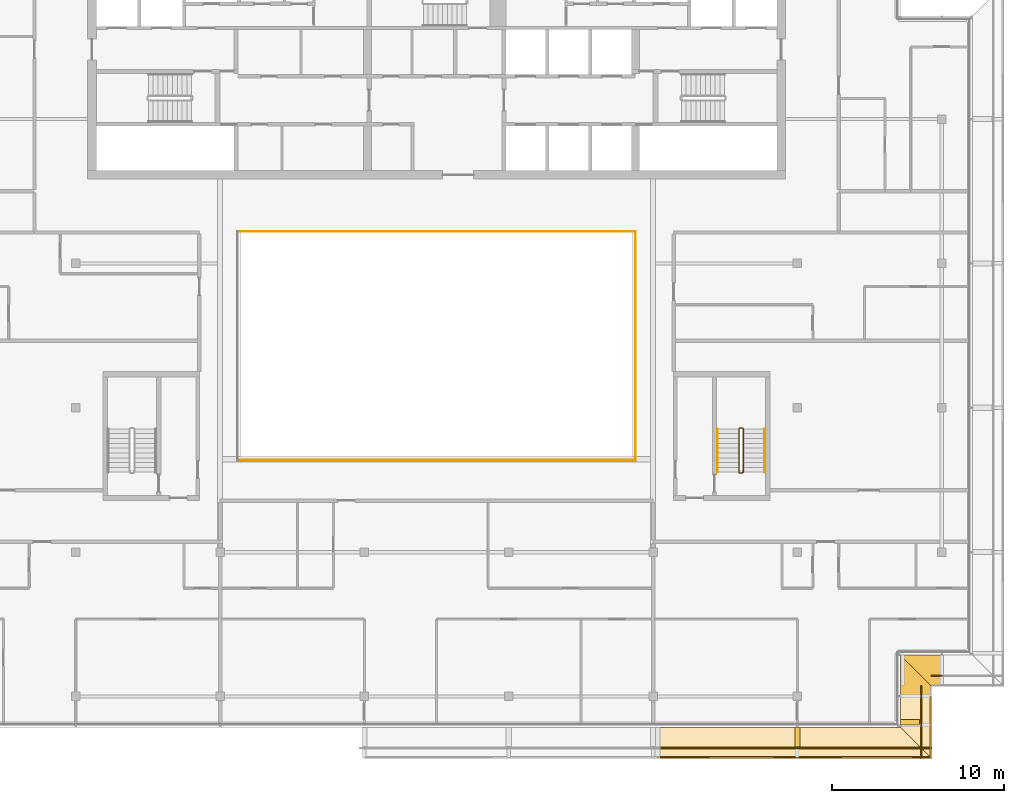
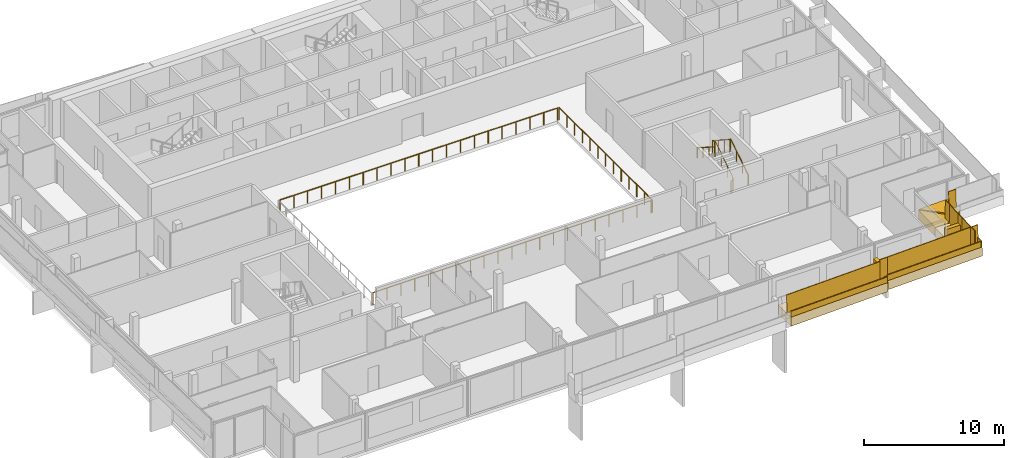
# One storey, part 23 of 26: 13 railings, 10 coverings.
"""IFC4 building model written with IfcOpenShell, lengths in metres."""

from ifc_helpers import new_model, si_unit, direction, frame, origin, origin_2d, place, context, subcontext, project, spatial, polyline, rectangle, circle, outline, extrude, material, layer, layer_set, type_object, element, save


model = new_model("IFC4")

# Units and contexts
model_context = context("Model", 3, precision=1e-05, world=origin(), true_north=direction((0.0, 1.0)))
body_context = subcontext(model_context, "Body", "Model", "MODEL_VIEW")
ifc_project = project(units=[si_unit("LENGTHUNIT", "METRE"), si_unit("AREAUNIT", "SQUARE_METRE"), si_unit("VOLUMEUNIT", "CUBIC_METRE"), si_unit("PLANEANGLEUNIT", "RADIAN"), si_unit("MASSUNIT", "GRAM", prefix="KILO")], contexts=[model_context])

# Site, building, storey
site_placement = place(None, origin())
site = spatial("IfcSite", under=ifc_project, at=site_placement, CompositionType="ELEMENT")
building_placement = place(site_placement, origin())
building = spatial("IfcBuilding", under=site, at=building_placement, Name="Saffron Gate Tower", CompositionType="ELEMENT")
storey_placement = place(building_placement, frame((0.0, 0.0, 277.949951171875)))
storey = spatial("IfcBuildingStorey", under=building, at=storey_placement, Name="L67", CompositionType="ELEMENT", Elevation=277.949951171875)

# Railings
ifc_material_1 = material(Name="Stainless steel and laminated glass", Category="steel")
railing_type_1 = type_object("IfcRailingType", Name="AG1 Atrium edge guard 1100", PredefinedType="GUARDRAIL", material=ifc_material_1)
railing_1_placement = place(storey_placement, frame((76.139892578125, 58.860107421875, 0.0)))
element("IfcRailing", 1, at=railing_1_placement, inside=storey, type_object=railing_type_1, Name="Guard E3-2", PredefinedType="GUARDRAIL", context=body_context, shape_type="SweptSolid", body=[
    extrude(circle(Radius=0.02392578125, at=origin_2d()), frame((0.0, 0.0, 1.076171875), z_axis=(1.0, 0.0, 0.0), x_axis=(0.0, 1.0, 0.0)), (0.0, 0.0, 1.0), 22.920166015625),
    extrude(circle(Radius=0.02099609375, at=origin_2d()), origin(), (0.0, 0.0, 1.0), 1.052001953125),
    extrude(circle(Radius=0.02099609375, at=origin_2d()), frame((1.14599609375, 0.0, 0.0)), (0.0, 0.0, 1.0), 1.052001953125),
    extrude(circle(Radius=0.02099609375, at=origin_2d()), frame((2.2919921875, 0.0, 0.0)), (0.0, 0.0, 1.0), 1.052001953125),
    extrude(circle(Radius=0.02099609375, at=origin_2d()), frame((3.43798828125, 0.0, 0.0)), (0.0, 0.0, 1.0), 1.052001953125),
    extrude(circle(Radius=0.02099609375, at=origin_2d()), frame((4.583984375, 0.0, 0.0)), (0.0, 0.0, 1.0), 1.052001953125),
    extrude(circle(Radius=0.02099609375, at=origin_2d()), frame((5.72998046875, 0.0, 0.0)), (0.0, 0.0, 1.0), 1.052001953125),
    extrude(circle(Radius=0.02099609375, at=origin_2d()), frame((6.8759765625, 0.0, 0.0)), (0.0, 0.0, 1.0), 1.052001953125),
    extrude(circle(Radius=0.02099609375, at=origin_2d()), frame((8.02197265625, 0.0, 0.0)), (0.0, 0.0, 1.0), 1.052001953125),
    extrude(circle(Radius=0.02099609375, at=origin_2d()), frame((9.16796875, 0.0, 0.0)), (0.0, 0.0, 1.0), 1.052001953125),
    extrude(circle(Radius=0.02099609375, at=origin_2d()), frame((10.31396484375, 0.0, 0.0)), (0.0, 0.0, 1.0), 1.052001953125),
    extrude(circle(Radius=0.02099609375, at=origin_2d()), frame((11.4599609375, 0.0, 0.0)), (0.0, 0.0, 1.0), 1.052001953125),
    extrude(circle(Radius=0.02099609375, at=origin_2d()), frame((12.606201171875, 0.0, 0.0)), (0.0, 0.0, 1.0), 1.052001953125),
    extrude(circle(Radius=0.02099609375, at=origin_2d()), frame((13.752197265625, 0.0, 0.0)), (0.0, 0.0, 1.0), 1.052001953125),
    extrude(circle(Radius=0.02099609375, at=origin_2d()), frame((14.898193359375, 0.0, 0.0)), (0.0, 0.0, 1.0), 1.052001953125),
    extrude(circle(Radius=0.02099609375, at=origin_2d()), frame((16.044189453125, 0.0, 0.0)), (0.0, 0.0, 1.0), 1.052001953125),
    extrude(circle(Radius=0.02099609375, at=origin_2d()), frame((17.190185546875, 0.0, 0.0)), (0.0, 0.0, 1.0), 1.052001953125),
    extrude(circle(Radius=0.02099609375, at=origin_2d()), frame((18.336181640625, 0.0, 0.0)), (0.0, 0.0, 1.0), 1.052001953125),
    extrude(circle(Radius=0.02099609375, at=origin_2d()), frame((19.482177734375, 0.0, 0.0)), (0.0, 0.0, 1.0), 1.052001953125),
    extrude(circle(Radius=0.02099609375, at=origin_2d()), frame((20.628173828125, 0.0, 0.0)), (0.0, 0.0, 1.0), 1.052001953125),
    extrude(circle(Radius=0.02099609375, at=origin_2d()), frame((21.774169921875, 0.0, 0.0)), (0.0, 0.0, 1.0), 1.052001953125),
    extrude(circle(Radius=0.02099609375, at=origin_2d()), frame((22.920166015625, 0.0, 0.0)), (0.0, 0.0, 1.0), 1.052001953125),
])
railing_2_placement = place(storey_placement, frame((99.179931640625, 58.860107421875, 0.0)))
element("IfcRailing", 2, at=railing_2_placement, inside=storey, type_object=railing_type_1, Name="Guard E3-3", PredefinedType="GUARDRAIL", context=body_context, shape_type="SweptSolid", body=[
    extrude(circle(Radius=0.02392578125, at=origin_2d()), frame((0.0, 0.0, 1.076171875), z_axis=(0.0, -1.0, 0.0), x_axis=(1.0, 0.0, 0.0)), (0.0, 0.0, 1.0), 13.320068359375),
    extrude(circle(Radius=0.02099609375, at=origin_2d()), origin(), (0.0, 0.0, 1.0), 1.052001953125),
    extrude(circle(Radius=0.02099609375, at=origin_2d()), frame((0.0, -1.110107421875, 0.0)), (0.0, 0.0, 1.0), 1.052001953125),
    extrude(circle(Radius=0.02099609375, at=origin_2d()), frame((0.0, -2.219970703125, 0.0)), (0.0, 0.0, 1.0), 1.052001953125),
    extrude(circle(Radius=0.02099609375, at=origin_2d()), frame((0.0, -3.330078125, 0.0)), (0.0, 0.0, 1.0), 1.052001953125),
    extrude(circle(Radius=0.02099609375, at=origin_2d()), frame((0.0, -4.43994140625, 0.0)), (0.0, 0.0, 1.0), 1.052001953125),
    extrude(circle(Radius=0.02099609375, at=origin_2d()), frame((0.0, -5.550048828125, 0.0)), (0.0, 0.0, 1.0), 1.052001953125),
    extrude(circle(Radius=0.02099609375, at=origin_2d()), frame((0.0, -6.66015625, 0.0)), (0.0, 0.0, 1.0), 1.052001953125),
    extrude(circle(Radius=0.02099609375, at=origin_2d()), frame((0.0, -7.77001953125, 0.0)), (0.0, 0.0, 1.0), 1.052001953125),
    extrude(circle(Radius=0.02099609375, at=origin_2d()), frame((0.0, -8.880126953125, 0.0)), (0.0, 0.0, 1.0), 1.052001953125),
    extrude(circle(Radius=0.02099609375, at=origin_2d()), frame((0.0, -9.989990234375, 0.0)), (0.0, 0.0, 1.0), 1.052001953125),
    extrude(circle(Radius=0.02099609375, at=origin_2d()), frame((0.0, -11.10009765625, 0.0)), (0.0, 0.0, 1.0), 1.052001953125),
    extrude(circle(Radius=0.02099609375, at=origin_2d()), frame((0.0, -12.2099609375, 0.0)), (0.0, 0.0, 1.0), 1.052001953125),
    extrude(circle(Radius=0.02099609375, at=origin_2d()), frame((0.0, -13.320068359375, 0.0)), (0.0, 0.0, 1.0), 1.052001953125),
])
railing_3_placement = place(storey_placement, frame((99.06005859375, 45.5400390625, 0.0)))
element("IfcRailing", 3, at=railing_3_placement, inside=storey, type_object=railing_type_1, Name="Guard E3-4", PredefinedType="GUARDRAIL", context=body_context, shape_type="SweptSolid", body=[
    extrude(circle(Radius=0.02392578125, at=origin_2d()), frame((0.0, 0.0, 1.076171875), z_axis=(-1.0, 0.0, 0.0), x_axis=(0.0, -1.0, 0.0)), (0.0, 0.0, 1.0), 22.920166015625),
    extrude(circle(Radius=0.02099609375, at=origin_2d()), origin(), (0.0, 0.0, 1.0), 1.052001953125),
    extrude(circle(Radius=0.02099609375, at=origin_2d()), frame((-1.14599609375, 0.0, 0.0)), (0.0, 0.0, 1.0), 1.052001953125),
    extrude(circle(Radius=0.02099609375, at=origin_2d()), frame((-2.2919921875, 0.0, 0.0)), (0.0, 0.0, 1.0), 1.052001953125),
    extrude(circle(Radius=0.02099609375, at=origin_2d()), frame((-3.43798828125, 0.0, 0.0)), (0.0, 0.0, 1.0), 1.052001953125),
    extrude(circle(Radius=0.02099609375, at=origin_2d()), frame((-4.583984375, 0.0, 0.0)), (0.0, 0.0, 1.0), 1.052001953125),
    extrude(circle(Radius=0.02099609375, at=origin_2d()), frame((-5.72998046875, 0.0, 0.0)), (0.0, 0.0, 1.0), 1.052001953125),
    extrude(circle(Radius=0.02099609375, at=origin_2d()), frame((-6.8759765625, 0.0, 0.0)), (0.0, 0.0, 1.0), 1.052001953125),
    extrude(circle(Radius=0.02099609375, at=origin_2d()), frame((-8.02197265625, 0.0, 0.0)), (0.0, 0.0, 1.0), 1.052001953125),
    extrude(circle(Radius=0.02099609375, at=origin_2d()), frame((-9.16796875, 0.0, 0.0)), (0.0, 0.0, 1.0), 1.052001953125),
    extrude(circle(Radius=0.02099609375, at=origin_2d()), frame((-10.31396484375, 0.0, 0.0)), (0.0, 0.0, 1.0), 1.052001953125),
    extrude(circle(Radius=0.02099609375, at=origin_2d()), frame((-11.4599609375, 0.0, 0.0)), (0.0, 0.0, 1.0), 1.052001953125),
    extrude(circle(Radius=0.02099609375, at=origin_2d()), frame((-12.606201171875, 0.0, 0.0)), (0.0, 0.0, 1.0), 1.052001953125),
    extrude(circle(Radius=0.02099609375, at=origin_2d()), frame((-13.752197265625, 0.0, 0.0)), (0.0, 0.0, 1.0), 1.052001953125),
    extrude(circle(Radius=0.02099609375, at=origin_2d()), frame((-14.898193359375, 0.0, 0.0)), (0.0, 0.0, 1.0), 1.052001953125),
    extrude(circle(Radius=0.02099609375, at=origin_2d()), frame((-16.044189453125, 0.0, 0.0)), (0.0, 0.0, 1.0), 1.052001953125),
    extrude(circle(Radius=0.02099609375, at=origin_2d()), frame((-17.190185546875, 0.0, 0.0)), (0.0, 0.0, 1.0), 1.052001953125),
    extrude(circle(Radius=0.02099609375, at=origin_2d()), frame((-18.336181640625, 0.0, 0.0)), (0.0, 0.0, 1.0), 1.052001953125),
    extrude(circle(Radius=0.02099609375, at=origin_2d()), frame((-19.482177734375, 0.0, 0.0)), (0.0, 0.0, 1.0), 1.052001953125),
    extrude(circle(Radius=0.02099609375, at=origin_2d()), frame((-20.628173828125, 0.0, 0.0)), (0.0, 0.0, 1.0), 1.052001953125),
    extrude(circle(Radius=0.02099609375, at=origin_2d()), frame((-21.774169921875, 0.0, 0.0)), (0.0, 0.0, 1.0), 1.052001953125),
    extrude(circle(Radius=0.02099609375, at=origin_2d()), frame((-22.920166015625, 0.0, 0.0)), (0.0, 0.0, 1.0), 1.052001953125),
])
railing_type_2 = type_object("IfcRailingType", Name="CR1 Stair guard 1100", PredefinedType="GUARDRAIL", material=ifc_material_1)
railing_4_placement = place(storey_placement, frame((105.25, 44.800048828125, 0.0)))
element("IfcRailing", 4, at=railing_4_placement, inside=storey, type_object=railing_type_2, Name="L67 ST-E stair guard 1", PredefinedType="GUARDRAIL", context=body_context, shape_type="SweptSolid", body=[
    extrude(circle(Radius=0.02392578125, at=origin_2d()), frame((0.0, 0.0, 1.076171875), z_axis=(1.0, 0.0, 0.0), x_axis=(0.0, 1.0, 0.0)), (0.0, 0.0, 1.0), 0.14990234375),
    extrude(circle(Radius=0.02392578125, at=origin_2d()), frame((0.14990234375, 0.0, 1.076171875), z_axis=(0.258847668887, 0.258847668887, 0.930588936439), x_axis=(-0.707106781187, 0.707106781187, 0.0)), (0.0, 0.0, 1.0), 0.193359375),
    extrude(circle(Radius=0.02392578125, at=origin_2d()), frame((0.199951171875, 0.050048828125, 1.255859375), z_axis=(0.0, 0.841162588446, 0.540782303519), x_axis=(-1.0, 0.0, 0.0)), (0.0, 0.0, 1.0), 2.995849609375),
    extrude(circle(Radius=0.02392578125, at=origin_2d()), frame((0.199951171875, 2.570068359375, 2.8759765625), z_axis=(-0.708833529934, 0.705375805398, 0.0), x_axis=(-0.705375805398, -0.708833529934, 0.0)), (0.0, 0.0, 1.0), 0.070556640625),
    extrude(circle(Radius=0.02392578125, at=origin_2d()), frame((0.14990234375, 2.619873046875, 2.8759765625), z_axis=(-1.0, 0.0, 0.0), x_axis=(0.0, -1.0, 0.0)), (0.0, 0.0, 1.0), 0.14990234375),
    extrude(circle(Radius=0.02392578125, at=origin_2d()), frame((0.0, 2.619873046875, 2.8759765625), z_axis=(-0.258932105505, -0.257669022063, 0.930892496375), x_axis=(0.705375805398, -0.708833529934, 0.0)), (0.0, 0.0, 1.0), 0.193359375),
    extrude(circle(Radius=0.02392578125, at=origin_2d()), frame((-0.050048828125, 2.570068359375, 3.05615234375), z_axis=(0.0, -0.841162588446, 0.540782303519), x_axis=(1.0, 0.0, 0.0)), (0.0, 0.0, 1.0), 2.995849609375),
    extrude(circle(Radius=0.02099609375, at=origin_2d()), origin(), (0.0, 0.0, 1.0), 1.052001953125),
    extrude(circle(Radius=0.02099609375, at=origin_2d()), frame((0.14990234375, 0.0, 0.0)), (0.0, 0.0, 1.0), 1.052001953125),
    extrude(circle(Radius=0.02099609375, at=origin_2d()), frame((0.199951171875, 0.050048828125, 0.179931640625)), (0.0, 0.0, 1.0), 1.052001953125),
    extrude(circle(Radius=0.02099609375, at=origin_2d()), frame((0.199951171875, 0.89013671875, 0.719970703125)), (0.0, 0.0, 1.0), 1.052001953125),
    extrude(circle(Radius=0.02099609375, at=origin_2d()), frame((0.199951171875, 1.72998046875, 1.260009765625)), (0.0, 0.0, 1.0), 1.052001953125),
    extrude(circle(Radius=0.02099609375, at=origin_2d()), frame((0.199951171875, 2.570068359375, 1.800048828125)), (0.0, 0.0, 1.0), 1.052001953125),
    extrude(circle(Radius=0.02099609375, at=origin_2d()), frame((0.14990234375, 2.619873046875, 1.800048828125)), (0.0, 0.0, 1.0), 1.052001953125),
    extrude(circle(Radius=0.02099609375, at=origin_2d()), frame((0.0, 2.619873046875, 1.800048828125)), (0.0, 0.0, 1.0), 1.052001953125),
    extrude(circle(Radius=0.02099609375, at=origin_2d()), frame((-0.050048828125, 2.570068359375, 1.97998046875)), (0.0, 0.0, 1.0), 1.052001953125),
    extrude(circle(Radius=0.02099609375, at=origin_2d()), frame((-0.050048828125, 1.72998046875, 2.52001953125)), (0.0, 0.0, 1.0), 1.052001953125),
    extrude(circle(Radius=0.02099609375, at=origin_2d()), frame((-0.050048828125, 0.89013671875, 3.06005859375)), (0.0, 0.0, 1.0), 1.052001953125),
    extrude(circle(Radius=0.02099609375, at=origin_2d()), frame((-0.050048828125, 0.050048828125, 3.60009765625)), (0.0, 0.0, 1.0), 1.052001953125),
])
ifc_material_2 = material(Name="Stainless steel", Category="steel")
railing_type_3 = type_object("IfcRailingType", Name="CR2 Stair handrail 900", PredefinedType="HANDRAIL", material=ifc_material_2)
railing_5_placement = place(storey_placement, frame((106.699951171875, 44.85009765625, 0.179931640625)))
element("IfcRailing", 5, at=railing_5_placement, inside=storey, type_object=railing_type_3, Name="L67 ST-E stair handrail 1", PredefinedType="HANDRAIL", context=body_context, shape_type="SweptSolid", body=[
    extrude(circle(Radius=0.02392578125, at=origin_2d()), frame((0.0, 0.0, 0.8759765625), z_axis=(0.0, 0.841162588446, 0.540782303519), x_axis=(-1.0, 0.0, 0.0)), (0.0, 0.0, 1.0), 2.995849609375),
    extrude(circle(Radius=0.02099609375, at=origin_2d()), origin(), (0.0, 0.0, 1.0), 0.851806640625),
    extrude(circle(Radius=0.02099609375, at=origin_2d()), frame((0.0, 0.840087890625, 0.5400390625)), (0.0, 0.0, 1.0), 0.851806640625),
    extrude(circle(Radius=0.02099609375, at=origin_2d()), frame((0.0, 1.679931640625, 1.080078125)), (0.0, 0.0, 1.0), 0.851806640625),
    extrude(circle(Radius=0.02099609375, at=origin_2d()), frame((0.0, 2.52001953125, 1.6201171875)), (0.0, 0.0, 1.0), 0.851806640625),
])
railing_6_placement = place(storey_placement, frame((103.949951171875, 47.3701171875, 1.97998046875)))
element("IfcRailing", 6, at=railing_6_placement, inside=storey, type_object=railing_type_3, Name="L67 ST-E stair handrail 2", PredefinedType="HANDRAIL", context=body_context, shape_type="SweptSolid", body=[
    extrude(circle(Radius=0.02392578125, at=origin_2d()), frame((0.0, 0.0, 0.8759765625), z_axis=(0.0, -0.841162588446, 0.540782303519), x_axis=(1.0, 0.0, 0.0)), (0.0, 0.0, 1.0), 2.995849609375),
    extrude(circle(Radius=0.02099609375, at=origin_2d()), origin(), (0.0, 0.0, 1.0), 0.851806640625),
    extrude(circle(Radius=0.02099609375, at=origin_2d()), frame((0.0, -0.840087890625, 0.5400390625)), (0.0, 0.0, 1.0), 0.851806640625),
    extrude(circle(Radius=0.02099609375, at=origin_2d()), frame((0.0, -1.679931640625, 1.080078125)), (0.0, 0.0, 1.0), 0.851806640625),
    extrude(circle(Radius=0.02099609375, at=origin_2d()), frame((0.0, -2.52001953125, 1.6201171875)), (0.0, 0.0, 1.0), 0.851806640625),
])

# Coverings
ifc_material_3 = material(Name="Timber, thermally modified ash", Category="wood")
ifc_layer_1 = layer(ifc_material_3, 0.800048828125)
ifc_layer_set_1 = layer_set([ifc_layer_1], Name="LD1 ledge timber")
covering_type_1 = type_object("IfcCoveringType", Name="LD1 ledge timber", PredefinedType="CLADDING", material=ifc_layer_set_1)
covering_1_placement = place(storey_placement, frame((100.60009765625, 30.0, 0.86572265625), z_axis=(-0.028796646555, 0.0, 0.999585290582), x_axis=(0.999585290582, 0.0, 0.028796646555)))
element("IfcCovering", 7, at=covering_1_placement, inside=storey, type_object=covering_type_1, Name="LEDGE", PredefinedType="CLADDING", context=body_context, shape_type="SweptSolid", body=[
    extrude(outline(polyline([(0.0, 0.0), (8.003319051788862, 0.0), (8.003319051788862, -1.800048828125), (0.0, -1.800048828125), (0.0, 0.0)])), origin(), (0.0, 0.0, -1.0), 0.800048828125),
])
covering_2_placement = place(storey_placement, frame((108.60009765625, 30.0, 1.253173828125), z_axis=(-0.028789985935, -2.2219862e-05, 0.999585482196), x_axis=(0.999585482442, 1.48e-10, 0.028789985943)))
element("IfcCovering", 8, at=covering_2_placement, inside=storey, type_object=covering_type_1, Name="LEDGE", PredefinedType="CLADDING", context=body_context, shape_type="SweptSolid", body=[
    extrude(outline(polyline([(0.0, 0.0), (6.002489288708389, 8.470329472543003e-22), (7.803038031992788, -1.8000488297246744), (-2.6651392631676933e-10, -1.8000488276806381), (0.0, 0.0)])), origin(), (0.0, 0.0, -1.0), 0.800048828125),
])
covering_3_placement = place(storey_placement, frame((114.60009765625, 30.0, 1.54345703125), z_axis=(-4.5197335e-05, -0.028831989003, 0.999584270768), x_axis=(2.042e-09, 0.999584271789, 0.028831989032)))
element("IfcCovering", 9, at=covering_3_placement, inside=storey, type_object=covering_type_1, Name="LEDGE", PredefinedType="CLADDING", context=body_context, shape_type="SweptSolid", body=[
    extrude(outline(polyline([(0.0, 0.0), (1.8007998167885757, 4.235164736271502e-22), (1.8007998204631834, -1.7998046856616803), (-1.8007927740541456, -1.7998046966915844), (0.0, 0.0)])), origin(), (0.0, 0.0, -1.0), 0.800048828125),
])
covering_4_placement = place(storey_placement, frame((114.60009765625, 31.800048828125, 1.630615234375), z_axis=(-1.567025e-06, -0.028880273594, 0.999582877902), x_axis=(-2e-12, 0.999582877903, 0.028880273594)))
element("IfcCovering", 10, at=covering_4_placement, inside=storey, type_object=covering_type_1, Name="LEDGE", PredefinedType="CLADDING", context=body_context, shape_type="SweptSolid", body=[
    extrude(outline(polyline([(0.0, 0.0), (2.400903732297027, -1.3234889800848443e-23), (0.6001039136766684, -1.7998046875033142), (-3.3130496649195882e-12, -1.7998046874977902), (0.0, 0.0)])), origin(), (0.0, 0.0, -1.0), 0.800048828125),
])
covering_5_placement = place(storey_placement, frame((114.60009765625, 34.199951171875, 1.746826171875), z_axis=(-0.028877925272, 1.566685e-06, 0.999582945748), x_axis=(0.999582945749, -2e-12, 0.028877925272)))
element("IfcCovering", 11, at=covering_5_placement, inside=storey, type_object=covering_type_1, Name="LEDGE", PredefinedType="CLADDING", context=body_context, shape_type="SweptSolid", body=[
    extrude(outline(polyline([(0.0, 0.0), (2.400903732297027, -2.6469779601696886e-23), (2.4009037323003395, -1.8000488281227907), (1.8005557798235254, -1.8000488281283136), (0.0, 0.0)])), origin(), (0.0, 0.0, -1.0), 0.800048828125),
])
ifc_layer_2 = layer(ifc_material_3, 0.080078125)
ifc_layer_set_2 = layer_set([ifc_layer_2], Name="LD2 ledge planter trough")
covering_type_2 = type_object("IfcCoveringType", Name="LD2 ledge planter trough", PredefinedType="CLADDING", material=ifc_layer_set_2)
covering_6_placement = place(storey_placement, frame((100.60009765625, 28.199951171875, 0.86572265625), z_axis=(0.0, -1.0, 0.0), x_axis=(0.999585290582, 0.0, 0.028796646555)))
element("IfcCovering", 12, at=covering_6_placement, inside=storey, type_object=covering_type_2, Name="LEDGE planter trough", PredefinedType="CLADDING", context=body_context, shape_type="SweptSolid", body=[
    extrude(outline(polyline([(0.0, 0.0), (8.003319051788862, 0.0), (8.017717375066283, 0.4997926452908234), (0.014398323277421184, 0.49979264529082346), (0.0, 0.0)])), origin(), (0.0, 0.0, -1.0), 0.080078125),
])
covering_7_placement = place(storey_placement, frame((108.60009765625, 28.199951171875, 1.253173828125), z_axis=(0.0, -1.0, 0.0), x_axis=(0.999585630001, 0.0, 0.028784862264)))
element("IfcCovering", 13, at=covering_7_placement, inside=storey, type_object=covering_type_2, Name="LEDGE planter trough", PredefinedType="CLADDING", context=body_context, shape_type="SweptSolid", body=[
    extrude(outline(polyline([(0.0, 0.0), (7.80303803236181, 2.7755575615628914e-17), (7.817430463493663, 0.4997928150004909), (0.014392431131853373, 0.49979281500049083), (0.0, 0.0)])), origin(), (0.0, 0.0, -1.0), 0.080078125),
])
covering_8_placement = place(storey_placement, frame((116.39990234375, 28.199951171875, 1.49169921875), z_axis=(1.0, 0.0, 0.0), x_axis=(0.0, 0.99958492274, 0.028809412191)))
element("IfcCovering", 14, at=covering_8_placement, inside=storey, type_object=covering_type_2, Name="LEDGE planter trough", PredefinedType="CLADDING", context=body_context, shape_type="SweptSolid", body=[
    extrude(outline(polyline([(0.0, 0.0), (3.601592595435983, 0.0), (3.6159973015313485, 0.4997924613700232), (0.014404706095365512, 0.4997924613700232), (0.0, 0.0)])), origin(), (0.0, 0.0, -1.0), 0.080078125),
])
ifc_layer_3 = layer(ifc_material_3, 0.300048828125)
ifc_layer_set_3 = layer_set([ifc_layer_3], Name="LD3 ledge riser fin")
covering_type_3 = type_object("IfcCoveringType", Name="LD3 ledge riser fin", PredefinedType="CLADDING", material=ifc_layer_set_3)
covering_9_placement = place(storey_placement, frame((108.60009765625, 29.43994140625, 0.296142578125), z_axis=(0.0, 0.0, 1.0), x_axis=(1.0, 0.0, 0.0)))
element("IfcCovering", 15, at=covering_9_placement, inside=storey, type_object=covering_type_3, Name="LEDGE riser fin", PredefinedType="CLADDING", context=body_context, shape_type="SweptSolid", body=[
    extrude(rectangle(XDim=0.300048828125, YDim=1.1201171875, at=origin_2d()), origin(), (0.0, 0.0, 1.0), 1.85693359375),
])
covering_10_placement = place(storey_placement, frame((115.159912109375, 30.300048828125, 0.6259765625), z_axis=(0.0, 0.0, 1.0), x_axis=(0.0, 1.0, 0.0)))
element("IfcCovering", 16, at=covering_10_placement, inside=storey, type_object=covering_type_3, Name="LEDGE riser fin", PredefinedType="CLADDING", context=body_context, shape_type="SweptSolid", body=[
    extrude(rectangle(XDim=0.300048828125, YDim=1.1201171875, at=origin_2d()), origin(), (0.0, 0.0, 1.0), 1.817626953125),
])

# Railings
railing_type_4 = type_object("IfcRailingType", Name="LG1 ledge balustrade", PredefinedType="BALUSTRADE", material=ifc_material_3)
railing_7_placement = place(storey_placement, frame((100.60009765625, 28.800048828125, 0.86572265625)))
element("IfcRailing", 17, at=railing_7_placement, inside=storey, type_object=railing_type_4, Name="LEDGE BALUSTRADE", PredefinedType="BALUSTRADE", context=body_context, shape_type="SweptSolid", body=[
    extrude(rectangle(XDim=0.06005859375, YDim=1.60009765625, at=origin_2d()), frame((0.0, 0.0, 0.800048828125), z_axis=(0.999585290582, 0.0, 0.028796646555), x_axis=(0.0, 1.0, 0.0)), (0.0, 0.0, 1.0), 8.00341796875),
])
railing_8_placement = place(storey_placement, frame((108.60009765625, 28.800048828125, 1.253173828125)))
element("IfcRailing", 18, at=railing_8_placement, inside=storey, type_object=railing_type_4, Name="LEDGE BALUSTRADE", PredefinedType="BALUSTRADE", context=body_context, shape_type="SweptSolid", body=[
    extrude(rectangle(XDim=0.06005859375, YDim=1.60009765625, at=origin_2d()), frame((0.0, 0.0, 0.800048828125), z_axis=(0.999585630001, 0.0, 0.028784862264), x_axis=(0.0, 1.0, 0.0)), (0.0, 0.0, 1.0), 7.802978515625),
])
railing_9_placement = place(storey_placement, frame((108.300048828125, 28.800048828125, 1.09619140625)))
element("IfcRailing", 19, at=railing_9_placement, inside=storey, type_object=railing_type_4, Name="LEDGE BALUSTRADE", PredefinedType="BALUSTRADE", context=body_context, shape_type="SweptSolid", body=[
    extrude(rectangle(XDim=0.06005859375, YDim=1.7568359375, at=origin_2d()), frame((0.0, 0.0, 0.87841796875), z_axis=(1.0, 0.0, 0.0), x_axis=(0.0, 1.0, 0.0)), (0.0, 0.0, 1.0), 0.599853515625),
])
railing_10_placement = place(storey_placement, frame((115.800048828125, 28.199951171875, 1.49169921875)))
element("IfcRailing", 20, at=railing_10_placement, inside=storey, type_object=railing_type_4, Name="LEDGE BALUSTRADE", PredefinedType="BALUSTRADE", context=body_context, shape_type="SweptSolid", body=[
    extrude(rectangle(XDim=0.06005859375, YDim=1.60009765625, at=origin_2d()), frame((0.0, 0.0, 0.800048828125), z_axis=(0.0, 0.99958492274, 0.028809412191), x_axis=(-1.0, 0.0, 0.0)), (0.0, 0.0, 1.0), 3.6015625),
])
railing_11_placement = place(storey_placement, frame((115.800048828125, 30.0, 1.426025390625)))
element("IfcRailing", 21, at=railing_11_placement, inside=storey, type_object=railing_type_4, Name="LEDGE BALUSTRADE", PredefinedType="BALUSTRADE", context=body_context, shape_type="SweptSolid", body=[
    extrude(rectangle(XDim=0.06005859375, YDim=1.7177734375, at=origin_2d()), frame((0.0, 0.0, 0.85888671875), z_axis=(0.0, 1.0, 0.0), x_axis=(-1.0, 0.0, 0.0)), (0.0, 0.0, 1.0), 0.60009765625),
])
railing_12_placement = place(storey_placement, frame((115.800048828125, 31.800048828125, 1.630615234375)))
element("IfcRailing", 22, at=railing_12_placement, inside=storey, type_object=railing_type_4, Name="LEDGE BALUSTRADE", PredefinedType="BALUSTRADE", context=body_context, shape_type="SweptSolid", body=[
    extrude(rectangle(XDim=0.06005859375, YDim=1.60009765625, at=origin_2d()), frame((0.0, 0.0, 0.800048828125), z_axis=(0.0, 0.999582742162, 0.028884971385), x_axis=(-1.0, 0.0, 0.0)), (0.0, 0.0, 1.0), 0.60009765625),
])
railing_13_placement = place(storey_placement, frame((116.39990234375, 33.0, 1.798828125)))
element("IfcRailing", 23, at=railing_13_placement, inside=storey, type_object=railing_type_4, Name="LEDGE BALUSTRADE", PredefinedType="BALUSTRADE", context=body_context, shape_type="SweptSolid", body=[
    extrude(rectangle(XDim=0.06005859375, YDim=1.60009765625, at=origin_2d()), frame((0.0, 0.0, 0.800048828125), z_axis=(0.999583081391, 0.0, 0.028873229772), x_axis=(0.0, 1.0, 0.0)), (0.0, 0.0, 1.0), 0.600341796875),
])

save(model, "model.ifc")
